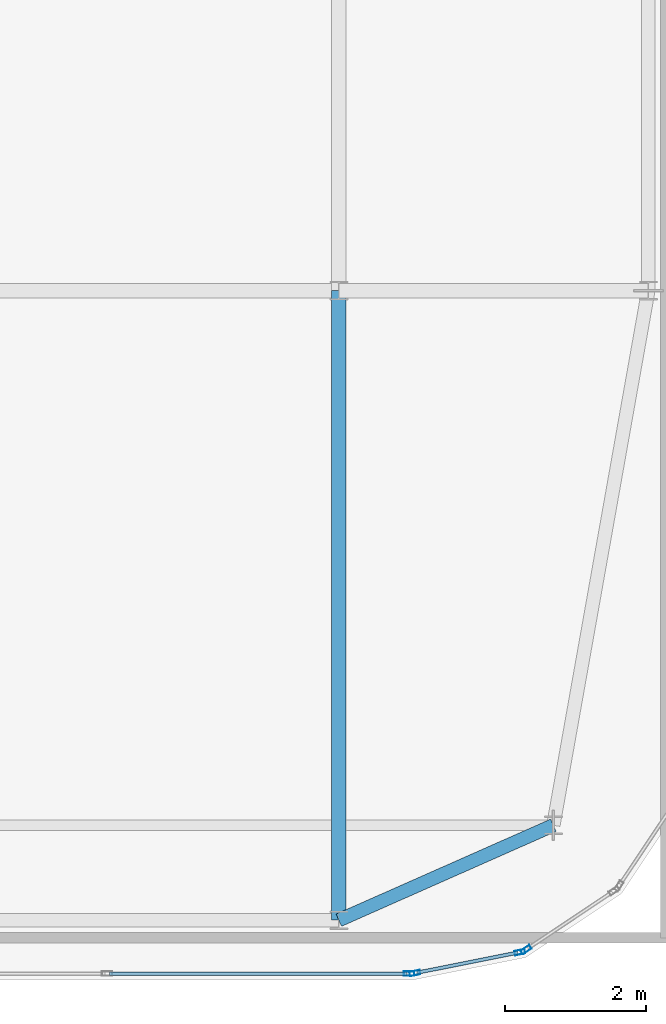
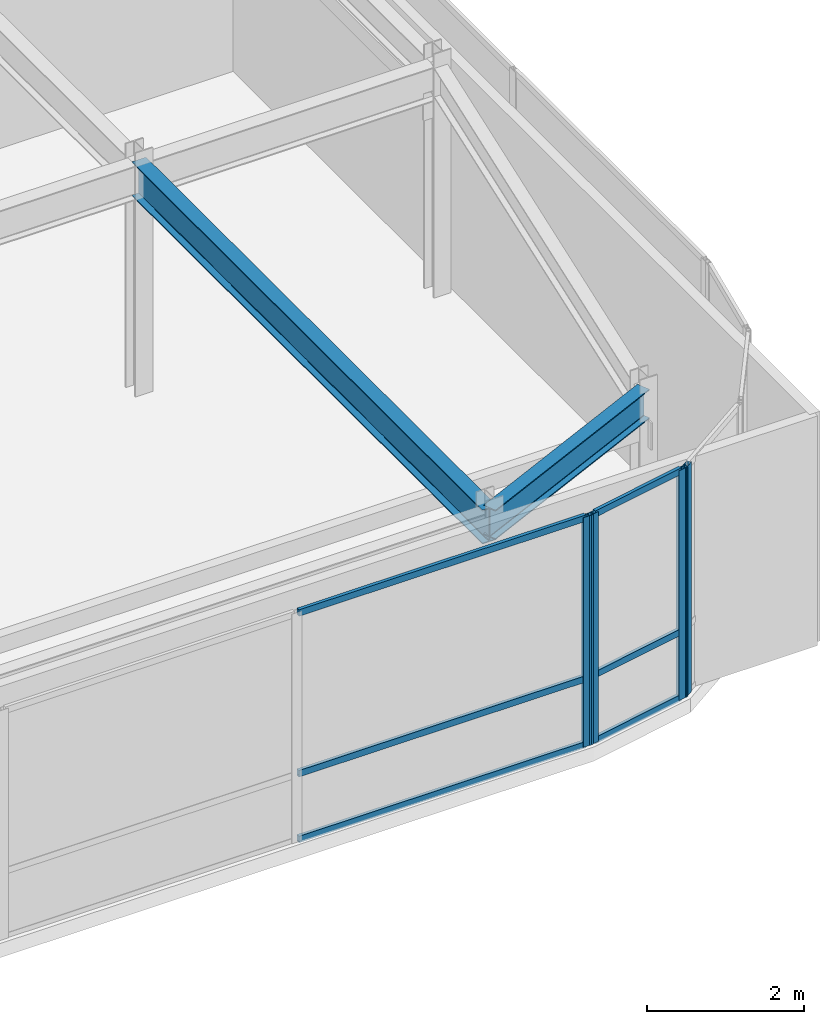
# One storey, part 14 of 36: 10 members, 2 beams, 3 elements without a shape of their own.
"""IFC4 building model written with IfcOpenShell, lengths in metres."""

from ifc_helpers import new_model, si_unit, direction, frame, origin, origin_2d, place, context, subcontext, project, spatial, hollow_rectangle, i_section, extrude, source, transform, mapped, material, layer, layer_set, material_profile, profile_set, type_object, type_shapes, element, aggregate, save


model = new_model("IFC4")

# Units and contexts
model_context = context("Model", 3, precision=1e-05, world=origin(), true_north=direction((0.0, 1.0)))
body_context = subcontext(model_context, "Body", "Model", "MODEL_VIEW")
ifc_project = project(units=[si_unit("LENGTHUNIT", "METRE"), si_unit("AREAUNIT", "SQUARE_METRE"), si_unit("VOLUMEUNIT", "CUBIC_METRE"), si_unit("PLANEANGLEUNIT", "RADIAN"), si_unit("MASSUNIT", "GRAM", prefix="KILO")], contexts=[model_context])

# Site, building, storey
site_placement = place(None, origin())
site = spatial("IfcSite", under=ifc_project, at=site_placement, CompositionType="ELEMENT")
building_placement = place(site_placement, origin())
building = spatial("IfcBuilding", under=site, at=building_placement, Name="Tolvann Quenvar Hotel", CompositionType="ELEMENT")
storey_placement = place(building_placement, frame((0.0, 0.0, 294.75)))
storey = spatial("IfcBuildingStorey", under=building, at=storey_placement, Name="L78", CompositionType="ELEMENT", Elevation=294.75)

# Beams
ifc_material_1 = material(Name="Steel Grade 350", Category="steel")
ifc_material_profile_1 = material_profile(ifc_material_1, i_section(OverallWidth=0.19091796875, OverallDepth=0.4599609375, WebThickness=0.010009765625, FlangeThickness=0.01611328125, FilletRadius=0.011474609375, at=origin_2d()), Name="460UB82")
ifc_profile_set_1 = profile_set([ifc_material_profile_1], Name="Steel Grade 350")
beam_type_1 = type_object("IfcBeamType", Name="BM_SPAND_460UB82", PredefinedType="SPANDREL", material=ifc_profile_set_1)
shared_shape_1 = source(origin(), body_context, "Body", "SweptSolid", [
    extrude(i_section(OverallWidth=0.19091796875, OverallDepth=0.4599609375, WebThickness=0.010009765625, FlangeThickness=0.01611328125, FilletRadius=0.011474609375, at=origin_2d()), origin(), (0.0, 0.0, 1.0), 3.33544921875),
])
type_shapes(beam_type_1, [shared_shape_1])
beam_1_placement = place(storey_placement, frame((32.75, 7.050048828125, 3.35009765625), z_axis=(0.914447312445, 0.404704970024, 0.0), x_axis=(-0.404704970024, 0.914447312445, 0.0)))
element("IfcBeam", 1, at=beam_1_placement, inside=storey, type_object=beam_type_1, Name="BM-L78-EW-2-FP2-G2", PredefinedType="SPANDREL", context=body_context, shape_type="MappedRepresentation", body=[
    mapped(shared_shape_1, transform((0.0, 0.0, 0.0), x_axis=(1.0, 0.0, 0.0), y_axis=(0.0, 1.0, 0.0), z_axis=(0.0, 0.0, 1.0), scale=1.0)),
])
ifc_material_profile_2 = material_profile(ifc_material_1, i_section(OverallWidth=0.208984375, OverallDepth=0.532958984375, WebThickness=0.01025390625, FlangeThickness=0.015625, FilletRadius=0.013916015625, at=origin_2d()), Name="530UB92")
ifc_profile_set_2 = profile_set([ifc_material_profile_2], Name="Steel Grade 350")
beam_type_2 = type_object("IfcBeamType", Name="BM_GIRD_530UB92", PredefinedType="BEAM", material=ifc_profile_set_2)
shared_shape_2 = source(origin(), body_context, "Body", "SweptSolid", [
    extrude(i_section(OverallWidth=0.208984375, OverallDepth=0.532958984375, WebThickness=0.01025390625, FlangeThickness=0.015625, FilletRadius=0.013916015625, at=origin_2d()), origin(), (0.0, 0.0, 1.0), 8.949951171875),
])
type_shapes(beam_type_2, [shared_shape_2])
beam_2_placement = place(storey_placement, frame((32.75, 7.050048828125, 3.3134765625), z_axis=(0.0, 1.0, 0.0), x_axis=(-1.0, 0.0, 0.0)))
element("IfcBeam", 2, at=beam_2_placement, inside=storey, type_object=beam_type_2, Name="BM-L78-NS-FP2-FP4", PredefinedType="BEAM", context=body_context, shape_type="MappedRepresentation", body=[
    mapped(shared_shape_2, transform((0.0, 0.0, 0.0), x_axis=(1.0, 0.0, 0.0), y_axis=(0.0, 1.0, 0.0), z_axis=(0.0, 0.0, 1.0), scale=1.0)),
])

# Curtain wall, member
ifc_material_2 = material(Name="Thermally broken anodised architectural aluminium 6063-T6 and laminated low-E glass", Category="aluminium")
ifc_layer = layer(ifc_material_2, 0.179931640625)
ifc_layer_set = layer_set([ifc_layer], Name="Thermally broken anodised architectural aluminium 6063-T6 and laminated low-E glass")
curtain_wall_type = type_object("IfcCurtainWallType", Name="CW_SYS_LANT_06", PredefinedType="USERDEFINED", material=ifc_layer_set)
curtain_wall_1_placement = place(storey_placement, origin())
curtain_wall_1 = element("IfcCurtainWall", 3, at=curtain_wall_1_placement, inside=storey, type_object=curtain_wall_type, Name="Curtain Wall CW-LANT-06 (CWR-L78-E04)", ObjectType="UNITISED CURTAIN WALL", PredefinedType="USERDEFINED")
ifc_material_3 = material(Name="Anodised architectural aluminium 6063-T6 framing", Category="aluminium")
ifc_material_profile_3 = material_profile(ifc_material_3, hollow_rectangle(XDim=0.06494140625, YDim=0.14990234375, WallThickness=0.00390625, at=origin_2d()), Name="150x65x4RHS")
ifc_profile_set_3 = profile_set([ifc_material_profile_3], Name="Anodised architectural aluminium 6063-T6 framing")
member_type_1 = type_object("IfcMemberType", Name="CW_MULL_150x65", PredefinedType="MULLION", material=ifc_profile_set_3)
shared_shape_3 = source(origin(), body_context, "Body", "SweptSolid", [
    extrude(hollow_rectangle(XDim=0.06494140625, YDim=0.14990234375, WallThickness=0.00390625, at=origin_2d()), origin(), (0.0, 0.0, 1.0), 3.580078125),
])
type_shapes(member_type_1, [shared_shape_3])
member_1_placement = place(storey_placement, frame((33.750244140625, 6.2900390625, 0.0), z_axis=(0.0, 0.0, 1.0), x_axis=(0.0, 1.0, 0.0)))
member_1 = element("IfcMember", 4, at=member_1_placement, type_object=member_type_1, Name="CW-LANT-06 mullion 7", PredefinedType="MULLION", context=body_context, shape_type="MappedRepresentation", body=[
    mapped(shared_shape_3, transform((0.0, 0.0, 0.0), x_axis=(1.0, 0.0, 0.0), y_axis=(0.0, 1.0, 0.0), z_axis=(0.0, 0.0, 1.0), scale=1.0)),
])

# Curtain wall, members
curtain_wall_2_placement = place(storey_placement, origin())
curtain_wall_2 = element("IfcCurtainWall", 5, at=curtain_wall_2_placement, inside=storey, type_object=curtain_wall_type, Name="Curtain Wall CW-LANT-06 (CWR-L78-E05)", ObjectType="UNITISED CURTAIN WALL", PredefinedType="USERDEFINED")
member_2_placement = place(storey_placement, frame((33.831298828125, 6.2978515625, 0.0), z_axis=(0.0, 0.0, 1.0), x_axis=(-0.195061569369, 0.980790999222, 0.0)))
member_2 = element("IfcMember", 6, at=member_2_placement, type_object=member_type_1, Name="CW-LANT-06 mullion 1", PredefinedType="MULLION", context=body_context, shape_type="MappedRepresentation", body=[
    mapped(shared_shape_3, transform((0.0, 0.0, 0.0), x_axis=(1.0, 0.0, 0.0), y_axis=(0.0, 1.0, 0.0), z_axis=(0.0, 0.0, 1.0), scale=1.0)),
])
member_3_placement = place(storey_placement, frame((35.32373046875, 6.5947265625, 0.0), z_axis=(0.0, 0.0, 1.0), x_axis=(-0.195061569369, 0.980790999222, 0.0)))
member_3 = element("IfcMember", 7, at=member_3_placement, type_object=member_type_1, Name="CW-LANT-06 mullion 2", PredefinedType="MULLION", context=body_context, shape_type="MappedRepresentation", body=[
    mapped(shared_shape_3, transform((0.0, 0.0, 0.0), x_axis=(1.0, 0.0, 0.0), y_axis=(0.0, 1.0, 0.0), z_axis=(0.0, 0.0, 1.0), scale=1.0)),
])

# Curtain wall, member
curtain_wall_3_placement = place(storey_placement, origin())
curtain_wall_3 = element("IfcCurtainWall", 8, at=curtain_wall_3_placement, inside=storey, type_object=curtain_wall_type, Name="Curtain Wall CW-LANT-06 (CWR-L78-E06)", ObjectType="UNITISED CURTAIN WALL", PredefinedType="USERDEFINED")
member_4_placement = place(storey_placement, frame((35.413330078125, 6.6318359375, 0.0), z_axis=(0.0, 0.0, 1.0), x_axis=(-0.555655769644, 0.831412452193, 0.0)))
member_4 = element("IfcMember", 9, at=member_4_placement, type_object=member_type_1, Name="CW-LANT-06 mullion 1", PredefinedType="MULLION", context=body_context, shape_type="MappedRepresentation", body=[
    mapped(shared_shape_3, transform((0.0, 0.0, 0.0), x_axis=(1.0, 0.0, 0.0), y_axis=(0.0, 1.0, 0.0), z_axis=(0.0, 0.0, 1.0), scale=1.0)),
])
aggregate(curtain_wall_3, [member_4])

# Member
ifc_material_profile_4 = material_profile(ifc_material_3, hollow_rectangle(XDim=0.050048828125, YDim=0.10009765625, WallThickness=0.0029296875, at=origin_2d()), Name="100x50x3RHS")
ifc_profile_set_4 = profile_set([ifc_material_profile_4], Name="Anodised architectural aluminium 6063-T6 framing")
member_type_2 = type_object("IfcMemberType", Name="CW_TRAN_100x50", PredefinedType="USERDEFINED", material=ifc_profile_set_4)
shared_shape_4 = source(origin(), body_context, "Body", "SweptSolid", [
    extrude(hollow_rectangle(XDim=0.050048828125, YDim=0.10009765625, WallThickness=0.0029296875, at=origin_2d()), origin(), (0.0, 0.0, 1.0), 1.456787109375),
])
member_5_placement = place(storey_placement, frame((33.863037109375, 6.30419921875, 0.02490234375), z_axis=(0.980786408364, 0.195084651288, 0.0), x_axis=(-0.195084651288, 0.980786408364, 0.0)))
member_5 = element("IfcMember", 10, at=member_5_placement, type_object=member_type_2, Name="CW-LANT-06 transom 1.1", ObjectType="TRANSOM", PredefinedType="USERDEFINED", context=body_context, shape_type="MappedRepresentation", body=[
    mapped(shared_shape_4, transform((0.0, 0.0, 0.0), x_axis=(1.0, 0.0, 0.0), y_axis=(0.0, 1.0, 0.0), z_axis=(0.0, 0.0, 1.0), scale=1.0)),
])

member_6_placement = place(storey_placement, frame((33.863037109375, 6.30419921875, 1.050048828125), z_axis=(0.980786408364, 0.195084651288, 0.0), x_axis=(-0.195084651288, 0.980786408364, 0.0)))
member_6 = element("IfcMember", 11, at=member_6_placement, type_object=member_type_2, Name="CW-LANT-06 transom 1.2", ObjectType="TRANSOM", PredefinedType="USERDEFINED", context=body_context, shape_type="MappedRepresentation", body=[
    mapped(shared_shape_4, transform((0.0, 0.0, 0.0), x_axis=(1.0, 0.0, 0.0), y_axis=(0.0, 1.0, 0.0), z_axis=(0.0, 0.0, 1.0), scale=1.0)),
])

member_7_placement = place(storey_placement, frame((33.863037109375, 6.30419921875, 3.554931640625), z_axis=(0.980786408364, 0.195084651288, 0.0), x_axis=(-0.195084651288, 0.980786408364, 0.0)))
member_7 = element("IfcMember", 12, at=member_7_placement, type_object=member_type_2, Name="CW-LANT-06 transom 1.3", ObjectType="TRANSOM", PredefinedType="USERDEFINED", context=body_context, shape_type="MappedRepresentation", body=[
    mapped(shared_shape_4, transform((0.0, 0.0, 0.0), x_axis=(1.0, 0.0, 0.0), y_axis=(0.0, 1.0, 0.0), z_axis=(0.0, 0.0, 1.0), scale=1.0)),
])

aggregate(curtain_wall_2, [member_2, member_3, member_5, member_6, member_7])

shared_shape_5 = source(origin(), body_context, "Body", "SweptSolid", [
    extrude(hollow_rectangle(XDim=0.050048828125, YDim=0.10009765625, WallThickness=0.0029296875, at=origin_2d()), origin(), (0.0, 0.0, 1.0), 4.22998046875),
])
type_shapes(member_type_2, [shared_shape_4, shared_shape_5])
member_8_placement = place(storey_placement, frame((29.48779296875, 6.2900390625, 0.02490234375), z_axis=(1.0, 0.0, 0.0), x_axis=(0.0, 1.0, 0.0)))
member_8 = element("IfcMember", 13, at=member_8_placement, type_object=member_type_2, Name="CW-LANT-06 transom 6.1", ObjectType="TRANSOM", PredefinedType="USERDEFINED", context=body_context, shape_type="MappedRepresentation", body=[
    mapped(shared_shape_5, transform((0.0, 0.0, 0.0), x_axis=(1.0, 0.0, 0.0), y_axis=(0.0, 1.0, 0.0), z_axis=(0.0, 0.0, 1.0), scale=1.0)),
])

member_9_placement = place(storey_placement, frame((29.48779296875, 6.2900390625, 1.050048828125), z_axis=(1.0, 0.0, 0.0), x_axis=(0.0, 1.0, 0.0)))
member_9 = element("IfcMember", 14, at=member_9_placement, type_object=member_type_2, Name="CW-LANT-06 transom 6.2", ObjectType="TRANSOM", PredefinedType="USERDEFINED", context=body_context, shape_type="MappedRepresentation", body=[
    mapped(shared_shape_5, transform((0.0, 0.0, 0.0), x_axis=(1.0, 0.0, 0.0), y_axis=(0.0, 1.0, 0.0), z_axis=(0.0, 0.0, 1.0), scale=1.0)),
])

member_10_placement = place(storey_placement, frame((29.48779296875, 6.2900390625, 3.554931640625), z_axis=(1.0, 0.0, 0.0), x_axis=(0.0, 1.0, 0.0)))
member_10 = element("IfcMember", 15, at=member_10_placement, type_object=member_type_2, Name="CW-LANT-06 transom 6.3", ObjectType="TRANSOM", PredefinedType="USERDEFINED", context=body_context, shape_type="MappedRepresentation", body=[
    mapped(shared_shape_5, transform((0.0, 0.0, 0.0), x_axis=(1.0, 0.0, 0.0), y_axis=(0.0, 1.0, 0.0), z_axis=(0.0, 0.0, 1.0), scale=1.0)),
])

aggregate(curtain_wall_1, [member_1, member_8, member_9, member_10])

save(model, "model.ifc")
